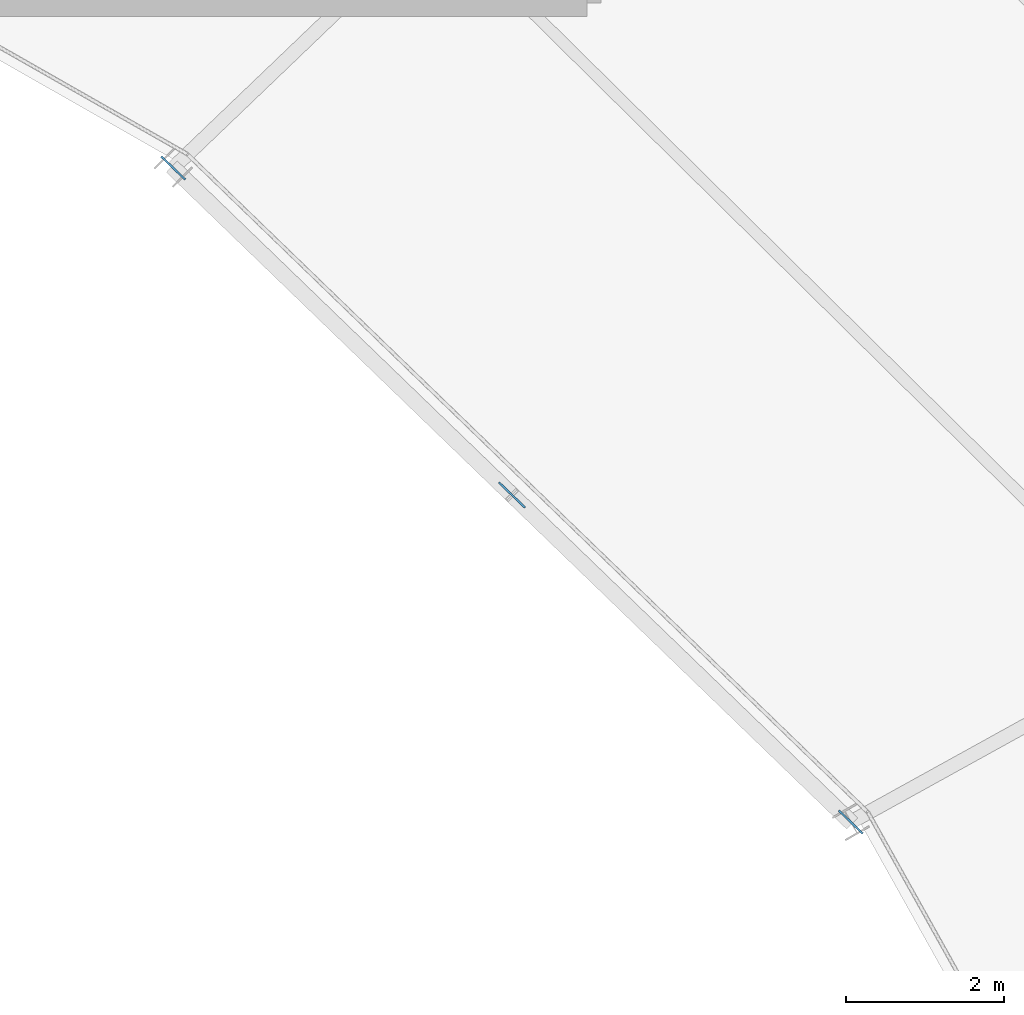
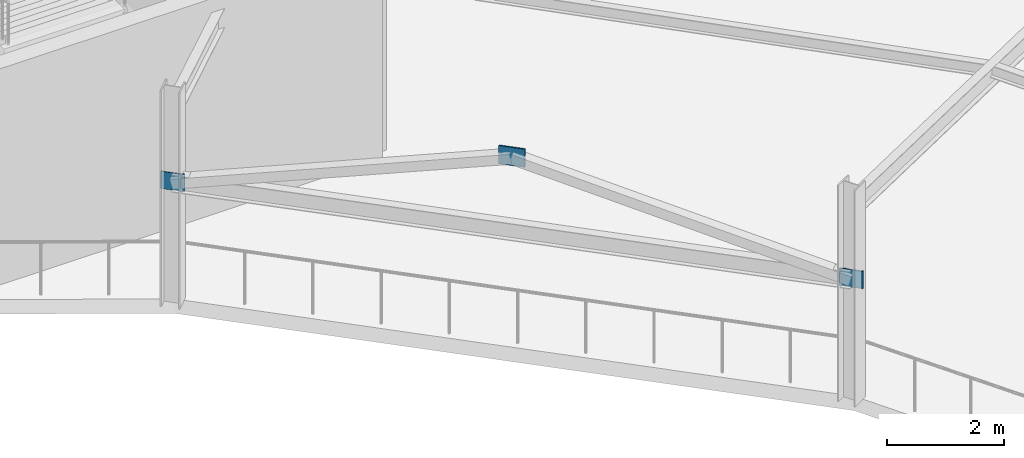
# One storey, part 103 of 126: 3 plates.
"""IFC4 building model written with IfcOpenShell, lengths in metres."""

import ifcopenshell
import ifcopenshell.guid

model = None  # the IFC model being written
_history = None  # IfcOwnerHistory: only IFC2X3 demands one
_inside = {}  # id of a spatial element -> (the spatial element, [elements in it])
_under = {}  # id of a project, library or spatial element -> (it, [spatial elements below it])
_declared = {}  # id of a project -> (the project, [libraries it declares])
_typed = {}  # id of a type object -> (the type object, [elements of that type])
_made_of = {}  # id of a material, layer set ... -> (it, [elements and type objects made of it])


def new_model(schema):
    """Start an empty IFC model of exactly this schema.

    Asked for "IFC4X3", IfcOpenShell would pick the latest addendum, in which some entities
    have other attributes; the version numbers below select the first issue.
    IFC2X3 requires an IfcOwnerHistory on every rooted entity: one is made here for all.
    """
    global model, _history
    if schema == "IFC4X3":
        model = ifcopenshell.file(schema_version=(4, 3, 0, 0))
    else:
        model = ifcopenshell.file(schema=schema)
    _inside.clear()
    _under.clear()
    _declared.clear()
    _typed.clear()
    _made_of.clear()
    _history = None
    if model.schema == "IFC2X3":
        org = make("IfcOrganization", Name="unknown")
        user = make(
            "IfcPersonAndOrganization",
            ThePerson=make("IfcPerson", FamilyName="unknown"),
            TheOrganization=org,
        )
        app = make(
            "IfcApplication",
            ApplicationDeveloper=org,
            Version="unknown",
            ApplicationFullName="unknown",
            ApplicationIdentifier="unknown",
        )
        _history = make(
            "IfcOwnerHistory",
            OwningUser=user,
            OwningApplication=app,
            ChangeAction="ADDED",
            CreationDate=0,
        )
    return model


def make(cls, **values):
    """One entity of the class cls with the attributes given. An attribute that is None is left unset."""
    return model.create_entity(
        cls, **{name: value for name, value in values.items() if value is not None}
    )


def rooted(cls, **values):
    """An entity with a GlobalId (a new one), such as an element, a storey or a relation."""
    return make(cls, GlobalId=ifcopenshell.guid.new(), OwnerHistory=_history, **values)


def si_unit(unit_type, name, prefix=None):
    """IfcSIUnit, for example si_unit("LENGTHUNIT", "METRE", prefix="MILLI")."""
    return make("IfcSIUnit", UnitType=unit_type, Prefix=prefix, Name=name)


def assignment(units):
    """IfcUnitAssignment: the units of a project."""
    return None if units is None else make("IfcUnitAssignment", Units=units)


def point(xyz):
    """IfcCartesianPoint."""
    return None if xyz is None else make("IfcCartesianPoint", Coordinates=xyz)


def direction(xyz):
    """IfcDirection."""
    return None if xyz is None else make("IfcDirection", DirectionRatios=xyz)


def frame(location, z_axis=None, x_axis=None):
    """IfcAxis2Placement3D, a coordinate frame: its origin and axes. An axis left out is left unset."""
    return make(
        "IfcAxis2Placement3D",
        Location=point(location),
        Axis=direction(z_axis),
        RefDirection=direction(x_axis),
    )


def frame_2d(location, x_axis=None):
    """IfcAxis2Placement2D, a coordinate frame in the plane: its origin and x axis."""
    return make(
        "IfcAxis2Placement2D", Location=point(location), RefDirection=direction(x_axis)
    )


def origin():
    """The frame at (0, 0, 0) with its axes left unset."""
    return frame((0.0, 0.0, 0.0))


def origin_2d():
    """The frame at (0, 0) in the plane with its x axis left unset."""
    return frame_2d((0.0, 0.0))


def place(relative_to, where):
    """IfcLocalPlacement: puts the frame where relative to a parent placement (None: the world)."""
    return make(
        "IfcLocalPlacement", PlacementRelTo=relative_to, RelativePlacement=where
    )


def context(
    kind, dimensions, precision=None, world=None, true_north=None, identifier=None
):
    """IfcGeometricRepresentationContext, for example the 3D "Model" context."""
    return make(
        "IfcGeometricRepresentationContext",
        ContextIdentifier=identifier,
        ContextType=kind,
        CoordinateSpaceDimension=dimensions,
        Precision=precision,
        WorldCoordinateSystem=world,
        TrueNorth=true_north,
    )


def subcontext(parent, identifier, kind, view, scale=None):
    """IfcGeometricRepresentationSubContext, for example "Body" below "Model"."""
    return make(
        "IfcGeometricRepresentationSubContext",
        ContextIdentifier=identifier,
        ContextType=kind,
        ParentContext=parent,
        TargetScale=scale,
        TargetView=view,
    )


def project(units=None, contexts=None):
    """IfcProject with its units and contexts."""
    return rooted(
        "IfcProject",
        Name="project",
        RepresentationContexts=contexts,
        UnitsInContext=assignment(units),
    )


def spatial(cls, under=None, at=None, **own):
    """A site, building, storey or space (cls), placed at a placement, below another one or the project."""
    s = rooted(cls, ObjectPlacement=at, **own)
    if under is not None:
        _under.setdefault(under.id(), (under, []))[1].append(s)
    return s


def profile(cls, at=None, kind="AREA", **sizes):
    """A parametric profile (cls). Its sizes go by their IFC names, for example OverallWidth=200.0."""
    return make(cls, ProfileType=kind, Position=at, **sizes)


def rectangle(**sizes):
    """IfcRectangleProfileDef."""
    return profile("IfcRectangleProfileDef", **sizes)


def extrude(swept, where, along, depth):
    """IfcExtrudedAreaSolid: the profile swept, set in the frame where, extruded along a direction by depth."""
    return make(
        "IfcExtrudedAreaSolid",
        SweptArea=swept,
        Position=where,
        ExtrudedDirection=direction(along),
        Depth=depth,
    )


def shape(context_of_items, identifier, shape_type, items):
    """IfcShapeRepresentation: the items that make up one representation, for example the "Body"."""
    return make(
        "IfcShapeRepresentation",
        ContextOfItems=context_of_items,
        RepresentationIdentifier=identifier,
        RepresentationType=shape_type,
        Items=items,
    )


def material(Name=None, Category=None):
    """IfcMaterial."""
    return make("IfcMaterial", Name=Name, Category=Category)


def layer(
    of_material, thickness, ventilated=None, Name=None, Category=None, Priority=None
):
    """IfcMaterialLayer: one layer of a wall or slab, of a material (None: an air gap)."""
    return make(
        "IfcMaterialLayer",
        Material=of_material,
        LayerThickness=thickness,
        IsVentilated=ventilated,
        Name=Name,
        Category=Category,
        Priority=Priority,
    )


def layer_set(layers, Name=None):
    """IfcMaterialLayerSet."""
    return make("IfcMaterialLayerSet", MaterialLayers=layers, LayerSetName=Name)


def made_of(thing, what):
    """Note that an element or type object is made of a material, layer set ...; save() writes the relation."""
    if what is not None:
        _made_of.setdefault(what.id(), (what, []))[1].append(thing)
    return thing


def type_object(cls, material=None, **own):
    """A type object (cls), such as IfcWallType, which elements share."""
    return made_of(rooted(cls, **own), material)


def element(
    cls,
    number,
    at=None,
    inside=None,
    cuts=None,
    type_object=None,
    material=None,
    context=None,
    identifier="Body",
    shape_type=None,
    held_by="IfcProductDefinitionShape",
    body=None,
    shapes=None,
    **own,
):
    """One element of the class cls, such as IfcWall. Its Tag is "e" and its number.

    at: its placement. inside: the storey or other place that contains it. cuts: it is an
    opening in that element (IfcRelVoidsElement). A single representation is given by context,
    identifier, shape_type and body (its items); several are given by shapes. held_by: the class
    of the entity that holds the representations. save() writes the other relations.
    """
    e = rooted(cls, Tag="e%d" % number, ObjectPlacement=at, **own)
    if body is not None:
        shapes = [shape(context, identifier, shape_type, body)]
    if shapes is not None:
        e.Representation = make(held_by, Representations=shapes)
    if inside is not None:
        _inside.setdefault(inside.id(), (inside, []))[1].append(e)
    if cuts is not None:
        rooted(
            "IfcRelVoidsElement", RelatingBuildingElement=cuts, RelatedOpeningElement=e
        )
    if type_object is not None:
        _typed.setdefault(type_object.id(), (type_object, []))[1].append(e)
    return made_of(e, material)


def aggregate(whole, parts):
    """IfcRelAggregates: a whole, such as a stair, and the parts it consists of."""
    return rooted("IfcRelAggregates", RelatingObject=whole, RelatedObjects=parts)


def save(model, path):
    """Write the relations noted so far, then the file.

    IfcRelAggregates (storeys below a building ...), IfcRelContainedInSpatialStructure (elements
    in a storey), IfcRelDefinesByType, IfcRelAssociatesMaterial and IfcRelDeclares: one each for
    every whole, place, type object, material and project.
    """
    for whole, parts in _under.values():
        aggregate(whole, parts)
    for where, things in _inside.values():
        rooted(
            "IfcRelContainedInSpatialStructure",
            RelatedElements=things,
            RelatingStructure=where,
        )
    for kind, things in _typed.values():
        rooted("IfcRelDefinesByType", RelatedObjects=things, RelatingType=kind)
    for what, things in _made_of.values():
        rooted("IfcRelAssociatesMaterial", RelatedObjects=things, RelatingMaterial=what)
    for by, libraries in _declared.values():
        rooted("IfcRelDeclares", RelatingContext=by, RelatedDefinitions=libraries)
    model.write(path)


model = new_model("IFC4")

# Units and contexts
model_context = context("Model", 3, precision=1e-05, world=origin(), true_north=direction((0.0, 1.0)))
body_context = subcontext(model_context, "Body", "Model", "MODEL_VIEW")
ifc_project = project(units=[si_unit("LENGTHUNIT", "METRE"), si_unit("AREAUNIT", "SQUARE_METRE"), si_unit("VOLUMEUNIT", "CUBIC_METRE"), si_unit("PLANEANGLEUNIT", "RADIAN"), si_unit("MASSUNIT", "GRAM", prefix="KILO")], contexts=[model_context])

# Site, building, storey
site_placement = place(None, origin())
site = spatial("IfcSite", under=ifc_project, at=site_placement, CompositionType="ELEMENT")
building_placement = place(site_placement, origin())
building = spatial("IfcBuilding", under=site, at=building_placement, Name="Kalgoora Escarpment Arena", CompositionType="ELEMENT")
storey_placement = place(building_placement, frame((0.0, 0.0, 18.89990234375)))
storey = spatial("IfcBuildingStorey", under=building, at=storey_placement, Name="L04", CompositionType="ELEMENT", Elevation=18.89990234375)

# Plates
ifc_material = material(Name="Structural steel Grade 350 (350 MPa)", Category="steel")
ifc_layer = layer(ifc_material, 0.02490234375)
ifc_layer_set = layer_set([ifc_layer], Name="PLT-GUSSET-25")
plate_type = type_object("IfcPlateType", Name="PLT-GUSSET-25", PredefinedType="USERDEFINED", material=ifc_layer_set)
plate_placement = place(storey_placement, frame((134.87451171875, 88.14208984375, 3.860107421875), z_axis=(0.0, 0.0, 1.0), x_axis=(-0.719461030139, 0.6945328114, 0.0)))
element("IfcPlate", 1, at=plate_placement, inside=storey, type_object=plate_type, Name="L04 chevron gusset cap plate R03", ObjectType="FLANGE PLATE", PredefinedType="USERDEFINED", context=body_context, shape_type="SweptSolid", body=[
    extrude(rectangle(XDim=0.4599609375, YDim=0.02490234375, at=origin_2d()), origin(), (0.0, 0.0, 1.0), 0.3798828125),
])
for number, where, z_axis, x_axis, name in (
    (2, (139.165283203125, 84.0, 2.33984375), (0.0, 0.0, 1.0), (-0.719339800339, 0.694658370459, 0.0), "Brace and post end gusset plate 033"),
    (3, (130.583740234375, 92.2841796875, 2.33984375), (0.0, 0.0, 1.0), (0.719339800339, -0.694658370459, 0.0), "Brace and post end gusset plate 034"),
):
    element("IfcPlate", number, at=place(storey_placement, frame(where, z_axis=z_axis, x_axis=x_axis)), inside=storey, type_object=plate_type, Name=name, ObjectType="FLANGE PLATE", PredefinedType="USERDEFINED", context=body_context, shape_type="SweptSolid", body=[
        extrude(rectangle(XDim=0.419921875, YDim=0.02490234375, at=origin_2d()), origin(), (0.0, 0.0, 1.0), 0.360107421875),
    ])

save(model, "model.ifc")
